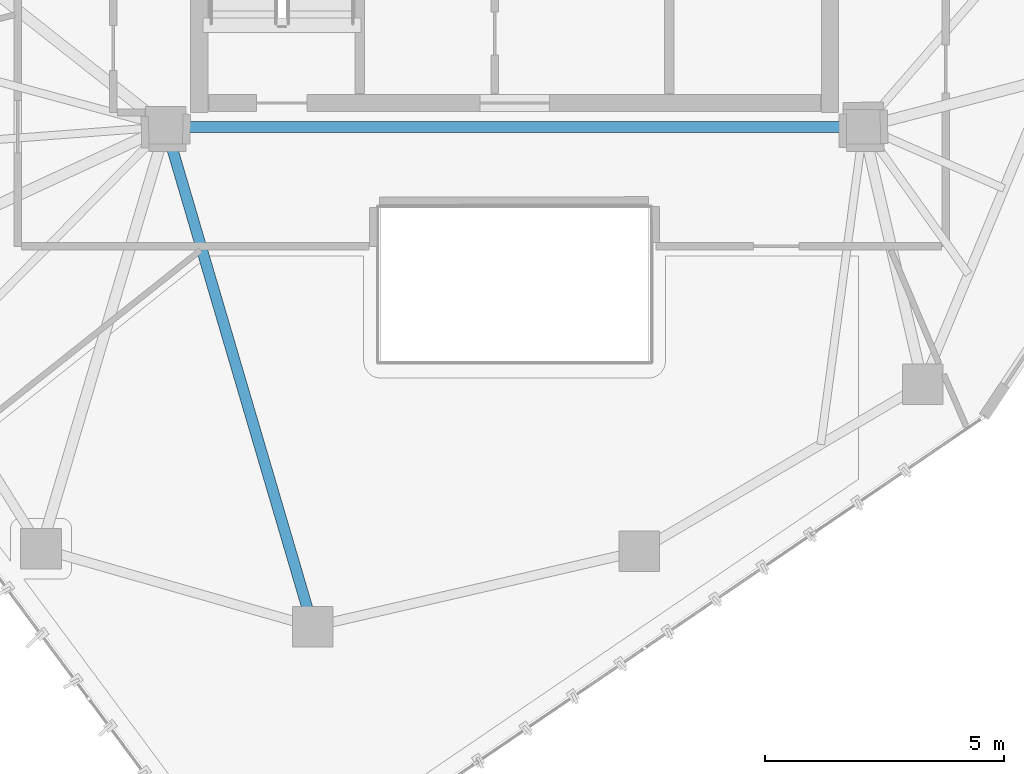
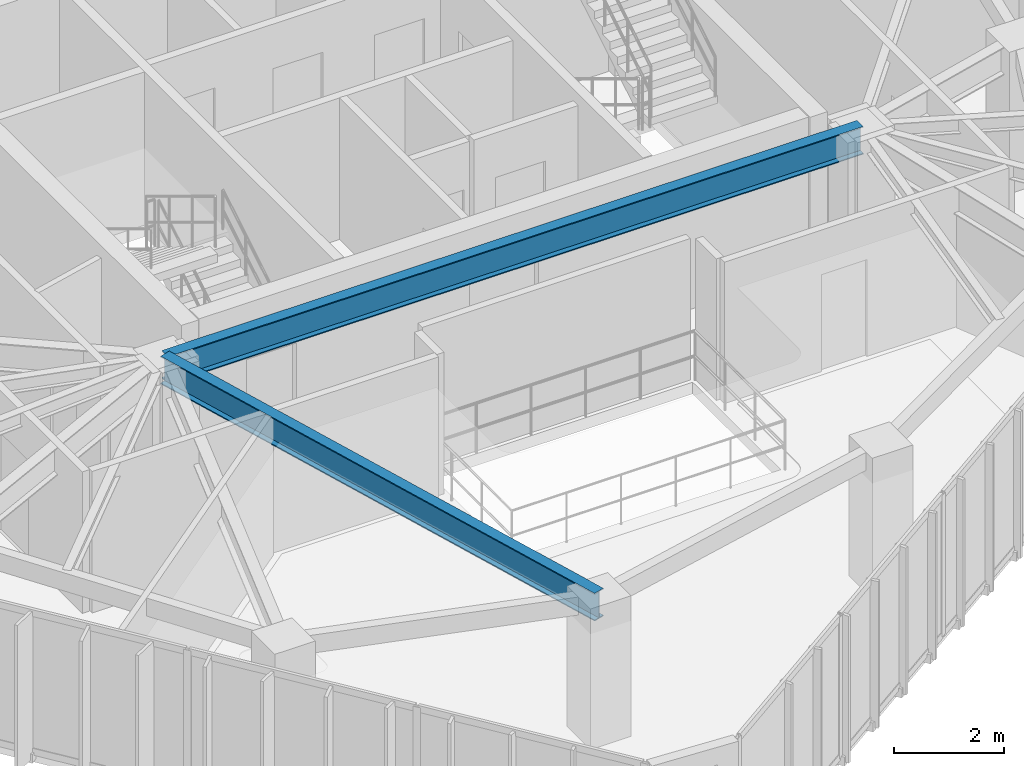
# One storey, part 5 of 20: 2 beams.
"""IFC4 building model written with IfcOpenShell, lengths in metres."""

from ifc_helpers import new_model, si_unit, direction, frame, origin, origin_2d, place, context, subcontext, project, spatial, i_section, extrude, material, material_profile, profile_set, type_object, element, save


model = new_model("IFC4")

# Units and contexts
model_context = context("Model", 3, precision=1e-05, world=origin(), true_north=direction((0.0, 1.0)))
body_context = subcontext(model_context, "Body", "Model", "MODEL_VIEW")
ifc_project = project(units=[si_unit("LENGTHUNIT", "METRE"), si_unit("AREAUNIT", "SQUARE_METRE"), si_unit("VOLUMEUNIT", "CUBIC_METRE"), si_unit("PLANEANGLEUNIT", "RADIAN"), si_unit("MASSUNIT", "GRAM", prefix="KILO")], contexts=[model_context])

# Site, building, storey
site_placement = place(None, origin())
site = spatial("IfcSite", under=ifc_project, at=site_placement, CompositionType="ELEMENT")
building_placement = place(site_placement, origin())
building = spatial("IfcBuilding", under=site, at=building_placement, Name="Talar Marvaseh", CompositionType="ELEMENT")
storey_placement = place(building_placement, frame((0.0, 0.0, 244.199951171875)))
storey = spatial("IfcBuildingStorey", under=building, at=storey_placement, Name="L64", CompositionType="ELEMENT", Elevation=244.199951171875)

# Beams
ifc_material = material(Name="Steel S355", Category="steel")
ifc_material_profile = material_profile(ifc_material, i_section(OverallWidth=0.22998046875, OverallDepth=0.616943359375, WebThickness=0.01318359375, FlangeThickness=0.022216796875, at=origin_2d()), Name="W610x140")
ifc_profile_set = profile_set([ifc_material_profile], Name="Steel S355")
beam_type = type_object("IfcBeamType", Name="Zone 4 Radial Floor Girder W610x140", PredefinedType="BEAM", material=ifc_profile_set)
beam_1_placement = place(storey_placement, frame((18.699951171875, 25.5, 2.83154296875), z_axis=(1.0, 0.0, 0.0), x_axis=(0.0, 1.0, 0.0)))
element("IfcBeam", 1, at=beam_1_placement, inside=storey, type_object=beam_type, Name="L64 Zone 4 Radial Floor Girder W610x140", PredefinedType="BEAM", context=body_context, shape_type="SweptSolid", body=[
    extrude(i_section(OverallWidth=0.22998046875, OverallDepth=0.616943359375, WebThickness=0.01318359375, FlangeThickness=0.022216796875, at=origin_2d()), origin(), (0.0, 0.0, 1.0), 14.60009765625),
])
beam_2_placement = place(storey_placement, frame((21.77587890625, 15.0400390625, 2.83154296875), z_axis=(-0.28212146763, 0.959378693479, 0.0), x_axis=(-0.959378693479, -0.28212146763, 0.0)))
element("IfcBeam", 2, at=beam_2_placement, inside=storey, type_object=beam_type, Name="L64 Zone 4 Radial Floor Girder W610x140", PredefinedType="BEAM", context=body_context, shape_type="SweptSolid", body=[
    extrude(i_section(OverallWidth=0.22998046875, OverallDepth=0.616943359375, WebThickness=0.01318359375, FlangeThickness=0.022216796875, at=origin_2d()), origin(), (0.0, 0.0, 1.0), 10.90283203125),
])

save(model, "model.ifc")
